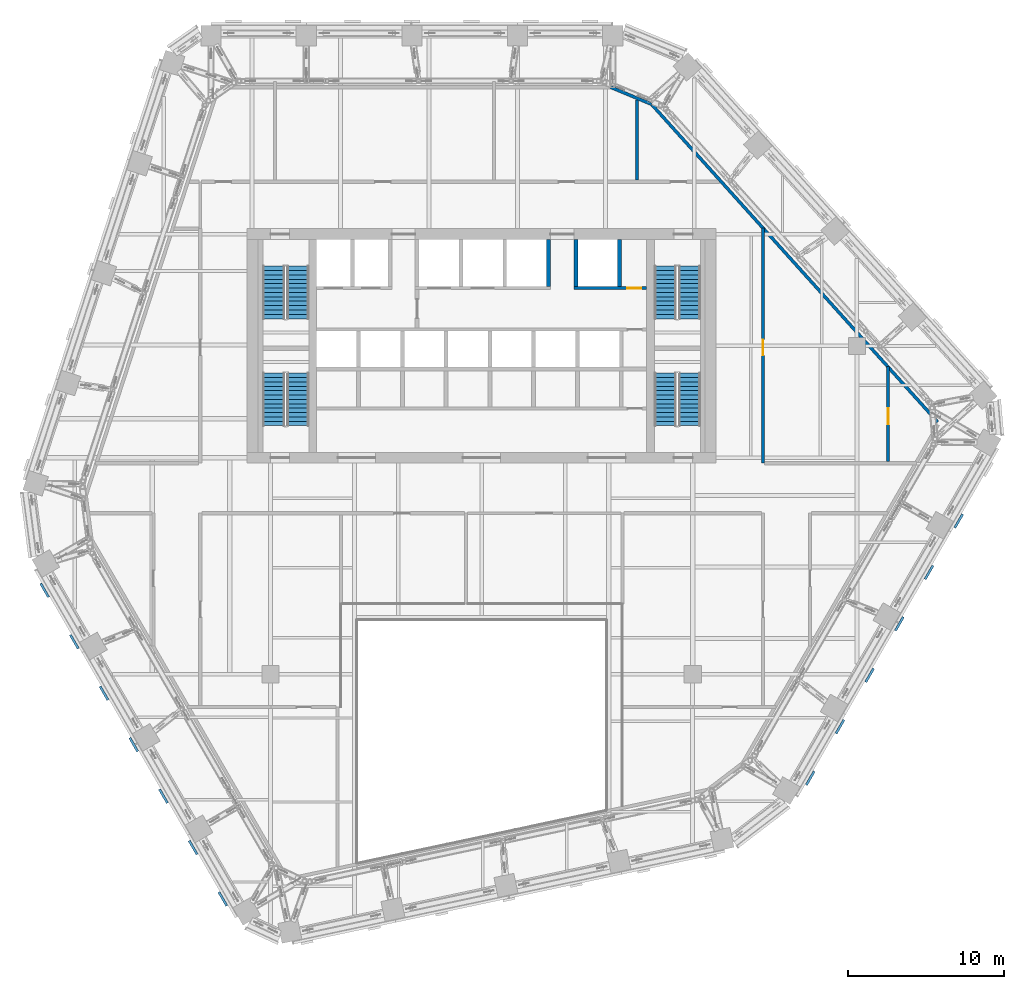
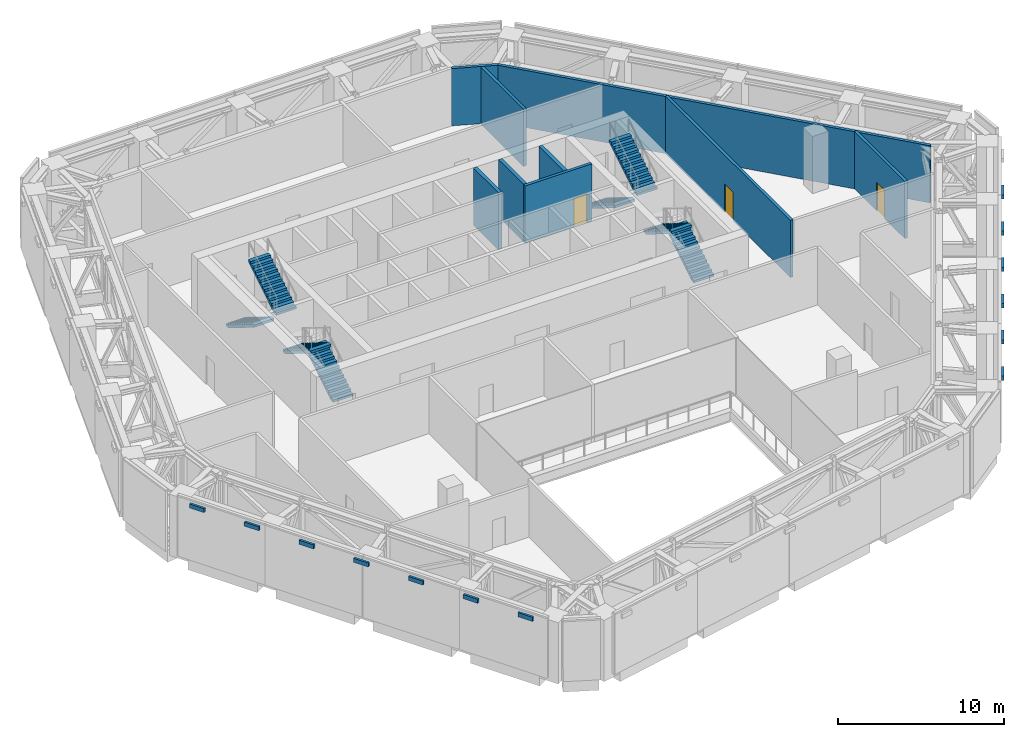
# One storey, part 18 of 26: 13 discrete accessories, 9 walls, 8 stair flights, 3 doors, 3 openings, 4 elements without a shape of their own.
"""IFC4 building model written with IfcOpenShell, lengths in metres."""

from ifc_helpers import new_model, si_unit, direction, frame, frame_2d, origin, origin_2d, place, context, subcontext, project, spatial, polyline, rectangle, outline, extrude, material, layer, layer_set, type_object, element, fill, aggregate, save


model = new_model("IFC4")

# Units and contexts
model_context = context("Model", 3, precision=1e-05, world=origin(), true_north=direction((0.0, 1.0)))
body_context = subcontext(model_context, "Body", "Model", "MODEL_VIEW")
ifc_project = project(units=[si_unit("LENGTHUNIT", "METRE"), si_unit("AREAUNIT", "SQUARE_METRE"), si_unit("VOLUMEUNIT", "CUBIC_METRE"), si_unit("PLANEANGLEUNIT", "RADIAN"), si_unit("MASSUNIT", "GRAM", prefix="KILO")], contexts=[model_context])

# Site, building, storey
site_placement = place(None, origin())
site = spatial("IfcSite", under=ifc_project, at=site_placement, CompositionType="ELEMENT")
building_placement = place(site_placement, origin())
building = spatial("IfcBuilding", under=site, at=building_placement, Name="Isthmus Gate Tower", CompositionType="ELEMENT")
storey_placement = place(building_placement, frame((0.0, 0.0, 207.300048828125)))
storey = spatial("IfcBuildingStorey", under=building, at=storey_placement, Name="L52", CompositionType="ELEMENT", Elevation=207.300048828125)

# Wall
ifc_material_1 = material(Name="Concrete f'c 30 MPa", Category="concrete")
ifc_layer_1 = layer(ifc_material_1, 0.199951171875)
ifc_layer_set_1 = layer_set([ifc_layer_1], Name="Fire-rated block wall 200")
wall_type_1 = type_object("IfcWallType", Name="Fire-rated block wall 200", PredefinedType="PARTITIONING", material=ifc_layer_set_1)
wall_1_placement = place(storey_placement, frame((9.931884765625, 18.10009765625, 0.0), z_axis=(0.0, 0.0, 1.0), x_axis=(0.0, 1.0, 0.0)))
element("IfcWall", 1, at=wall_1_placement, inside=storey, type_object=wall_type_1, Name="Fire-rated wall", PredefinedType="PARTITIONING", context=body_context, shape_type="SweptSolid", body=[
    extrude(rectangle(XDim=5.14208984375, YDim=0.199951171875, at=frame_2d((2.571044921875, 0.0))), origin(), (0.0, 0.0, 1.0), 4.199951171875),
])

# Wall, opening, door
wall_2_placement = place(storey_placement, frame((18.0, 0.0, 0.0), z_axis=(0.0, 0.0, 1.0), x_axis=(0.0, 1.0, 0.0)))
wall_2 = element("IfcWall", 2, at=wall_2_placement, inside=storey, type_object=wall_type_1, Name="Fire-rated wall", PredefinedType="PARTITIONING", context=body_context, shape_type="SweptSolid", body=[
    extrude(rectangle(XDim=15.057373046875, YDim=0.199951171875, at=frame_2d((7.52880859375, 0.0))), origin(), (0.0, 0.0, 1.0), 4.199951171875),
])
opening_1_placement = place(wall_2_placement, frame((6.89990234375, 0.0, 0.0)))
opening_1 = element("IfcOpeningElement", 3, at=opening_1_placement, cuts=wall_2, Name="Opening DP52-06", PredefinedType="OPENING", context=body_context, shape_type="SweptSolid", body=[
    extrude(rectangle(XDim=1.0, YDim=2.10009765625, at=frame_2d((0.5, 1.050048828125))), frame((0.0, 0.10986328125, 0.0), z_axis=(0.0, -1.0, 0.0), x_axis=(1.0, 0.0, 0.0)), (0.0, 0.0, 1.0), 0.219970703125),
])
ifc_material_2 = material(Name="Steel fire door with intumescent seals", Category="steel")
door_type_1 = type_object("IfcDoorType", Name="Fire door 1000 x 2100", OperationType="SINGLE_SWING_LEFT", PredefinedType="DOOR", material=ifc_material_2)
door_1_placement = place(opening_1_placement, origin())
door_1 = element("IfcDoor", 4, at=door_1_placement, inside=storey, type_object=door_type_1, Name="Door DP52-06", OperationType="SINGLE_SWING_LEFT", OverallHeight=2.10009765625, OverallWidth=1.0, PredefinedType="DOOR", context=body_context, shape_type="SweptSolid", body=[
    extrude(rectangle(XDim=1.0, YDim=2.10009765625, at=frame_2d((0.5, 1.050048828125))), frame((0.0, 0.02490234375, 0.0), z_axis=(0.0, -1.0, 0.0), x_axis=(1.0, 0.0, 0.0)), (0.0, 0.0, 1.0), 0.050048828125),
])
fill(opening_1, door_1)

wall_3_placement = place(storey_placement, frame((26.0, 0.10009765625, 0.0), z_axis=(0.0, 0.0, 1.0), x_axis=(0.0, 1.0, 0.0)))
wall_3 = element("IfcWall", 5, at=wall_3_placement, inside=storey, type_object=wall_type_1, Name="Fire-rated wall", PredefinedType="PARTITIONING", context=body_context, shape_type="SweptSolid", body=[
    extrude(rectangle(XDim=6.072265625, YDim=0.199951171875, at=frame_2d((3.0361328125, 0.0))), origin(), (0.0, 0.0, 1.0), 4.199951171875),
])
opening_2_placement = place(wall_3_placement, frame((2.39990234375, 0.0, 0.0)))
opening_2 = element("IfcOpeningElement", 6, at=opening_2_placement, cuts=wall_3, Name="Opening DP52-07", PredefinedType="OPENING", context=body_context, shape_type="SweptSolid", body=[
    extrude(rectangle(XDim=1.0, YDim=2.10009765625, at=frame_2d((0.5, 1.050048828125))), frame((0.0, 0.10986328125, 0.0), z_axis=(0.0, -1.0, 0.0), x_axis=(1.0, 0.0, 0.0)), (0.0, 0.0, 1.0), 0.219970703125),
])
door_2_placement = place(opening_2_placement, origin())
door_2 = element("IfcDoor", 7, at=door_2_placement, inside=storey, type_object=door_type_1, Name="Door DP52-07", OperationType="SINGLE_SWING_LEFT", OverallHeight=2.10009765625, OverallWidth=1.0, PredefinedType="DOOR", context=body_context, shape_type="SweptSolid", body=[
    extrude(rectangle(XDim=1.0, YDim=2.10009765625, at=frame_2d((0.5, 1.050048828125))), frame((0.0, 0.02490234375, 0.0), z_axis=(0.0, -1.0, 0.0), x_axis=(1.0, 0.0, 0.0)), (0.0, 0.0, 1.0), 0.050048828125),
])
fill(opening_2, door_2)

# Walls
wall_4_placement = place(storey_placement, frame((8.25, 24.050048828125, 0.0), z_axis=(0.0, 0.0, 1.0), x_axis=(0.923344746626, -0.383971976683, 0.0)))
element("IfcWall", 8, at=wall_4_placement, inside=storey, type_object=wall_type_1, Name="Fire-rated wall", PredefinedType="PARTITIONING", context=body_context, shape_type="SweptSolid", body=[
    extrude(rectangle(XDim=2.829345703125, YDim=0.199951171875, at=frame_2d((1.41455078125, 0.0))), origin(), (0.0, 0.0, 1.0), 4.199951171875),
])
wall_5_placement = place(storey_placement, frame((10.862548828125, 22.963623046875, 0.0), z_axis=(0.0, 0.0, 1.0), x_axis=(0.669131375447, -0.743144132987, 0.0)))
element("IfcWall", 9, at=wall_5_placement, inside=storey, type_object=wall_type_1, Name="Fire-rated wall", PredefinedType="PARTITIONING", context=body_context, shape_type="SweptSolid", body=[
    extrude(rectangle(XDim=27.35546875, YDim=0.199951171875, at=frame_2d((13.677734375, 0.0))), origin(), (0.0, 0.0, 1.0), 4.199951171875),
])

# Wall, opening, door
ifc_material_3 = material(Name="Fire-rated blockwork masonry, 15 MPa", Category="masonry")
ifc_layer_2 = layer(ifc_material_3, 0.199951171875)
ifc_layer_set_2 = layer_set([ifc_layer_2], Name="SHAFT FRONT WALL 200 120 MIN")
wall_type_2 = type_object("IfcWallType", Name="SHAFT FRONT WALL 200 120 MIN", PredefinedType="PARTITIONING", material=ifc_layer_set_2)
wall_6_placement = place(storey_placement, frame((5.89990234375, 11.199951171875, 0.0), z_axis=(0.0, 0.0, 1.0), x_axis=(1.0, 0.0, 0.0)))
wall_6 = element("IfcWall", 10, at=wall_6_placement, inside=storey, type_object=wall_type_2, Name="L52 SHAFT FRONT WALL 200 120 MIN", PredefinedType="PARTITIONING", context=body_context, shape_type="SweptSolid", body=[
    extrude(rectangle(XDim=4.650146484375, YDim=0.199951171875, at=frame_2d((2.3251953125, 0.0))), origin(), (0.0, 0.0, 1.0), 4.199951171875),
])
opening_3_placement = place(wall_6_placement, frame((3.39990234375, 0.0, 0.0)))
opening_3 = element("IfcOpeningElement", 11, at=opening_3_placement, cuts=wall_6, Name="Opening DC-A07-04", PredefinedType="OPENING", context=body_context, shape_type="SweptSolid", body=[
    extrude(rectangle(XDim=0.89990234375, YDim=2.10009765625, at=frame_2d((0.449951171875, 1.050048828125))), frame((0.0, 0.10986328125, 0.0), z_axis=(0.0, -1.0, 0.0), x_axis=(1.0, 0.0, 0.0)), (0.0, 0.0, 1.0), 0.219970703125),
])
ifc_material_4 = material(Name="Steel door leaf, fire-rated", Category="steel")
door_type_2 = type_object("IfcDoorType", Name="RISER FIRE DOOR 900 X 2100 90 MIN", OperationType="SINGLE_SWING_LEFT", PredefinedType="DOOR", material=ifc_material_4)
door_3_placement = place(opening_3_placement, origin())
door_3 = element("IfcDoor", 12, at=door_3_placement, inside=storey, type_object=door_type_2, Name="Riser Door", OperationType="SINGLE_SWING_LEFT", OverallHeight=2.10009765625, OverallWidth=0.89990234375, PredefinedType="DOOR", context=body_context, shape_type="SweptSolid", body=[
    extrude(rectangle(XDim=0.89990234375, YDim=2.10009765625, at=frame_2d((0.449951171875, 1.050048828125))), frame((0.0, 0.02490234375, 0.0), z_axis=(0.0, -1.0, 0.0), x_axis=(1.0, 0.0, 0.0)), (0.0, 0.0, 1.0), 0.050048828125),
])
fill(opening_3, door_3)

# Walls
ifc_material_5 = material(Name="Fire-rated blockwork masonry, 15 MPa", Category="masonry")
ifc_layer_3 = layer(ifc_material_5, 0.25)
ifc_layer_set_3 = layer_set([ifc_layer_3], Name="SHAFT WALL 250 120 MIN")
wall_type_3 = type_object("IfcWallType", Name="SHAFT WALL 250 120 MIN", PredefinedType="PARTITIONING", material=ifc_layer_set_3)
for number, where, z_axis, x_axis, name in (
    (13, (4.27490234375, 11.300048828125, 0.0), (0.0, 0.0, 1.0), (0.0, 1.0, 0.0), "L52 SHAFT WALL 250 120 MIN"),
    (14, (6.02490234375, 11.300048828125, 0.0), (0.0, 0.0, 1.0), (0.0, 1.0, 0.0), "L52 SHAFT WALL 250 120 MIN"),
    (15, (8.824951171875, 11.300048828125, 0.0), (0.0, 0.0, 1.0), (0.0, 1.0, 0.0), "L52 SHAFT WALL 250 120 MIN"),
):
    element("IfcWall", number, at=place(storey_placement, frame(where, z_axis=z_axis, x_axis=x_axis)), inside=storey, type_object=wall_type_3, Name=name, PredefinedType="PARTITIONING", context=body_context, shape_type="SweptSolid", body=[
        extrude(rectangle(XDim=3.0, YDim=0.25, at=frame_2d((1.5, 0.0))), origin(), (0.0, 0.0, 1.0), 4.199951171875),
    ])

# Stair, stair flights
ifc_material_6 = material(Name="Concrete f'c 40 MPa", Category="concrete")
stair_type = type_object("IfcStairType", Name="CORE STAIR 26 RISERS", PredefinedType="HALF_TURN_STAIR", material=ifc_material_6)
stair_1_placement = place(storey_placement, origin())
stair_1 = element("IfcStair", 16, at=stair_1_placement, inside=storey, type_object=stair_type, Name="L52 Exit Stair 1", PredefinedType="HALF_TURN_STAIR")
ifc_material_7 = material(Name="Concrete f'c 40 MPa", Category="concrete")
stair_flight_type = type_object("IfcStairFlightType", Name="STAIR FLIGHT RC 1400", PredefinedType="STRAIGHT", material=ifc_material_7)
stair_flight_1_placement = place(storey_placement, frame((-13.300048828125, 12.60009765625, 0.0), z_axis=(0.0, 0.0, 1.0), x_axis=(0.0, -1.0, 0.0)))
stair_flight_1 = element("IfcStairFlight", 17, at=stair_flight_1_placement, type_object=stair_flight_type, Name="ST1 flight 1", NumberOfRisers=13, NumberOfTreads=12, PredefinedType="STRAIGHT", RiserHeight=0.173076923, TreadLength=0.28, context=body_context, shape_type="SweptSolid", body=[
    extrude(outline(polyline([(0.0, 0.0), (0.0, 0.173095703125), (0.280029296875, 0.173095703125), (0.280029296875, 0.34619140625), (0.56005859375, 0.34619140625), (0.56005859375, 0.519287109375), (0.840087890625, 0.519287109375), (0.840087890625, 0.6923828125), (1.1201171875, 0.6923828125), (1.1201171875, 0.865478515625), (1.39990234375, 0.865478515625), (1.39990234375, 1.03857421875), (1.679931640625, 1.03857421875), (1.679931640625, 1.21142578125), (1.9599609375, 1.21142578125), (1.9599609375, 1.384521484375), (2.239990234375, 1.384521484375), (2.239990234375, 1.5576171875), (2.52001953125, 1.5576171875), (2.52001953125, 1.730712890625), (2.800048828125, 1.730712890625), (2.800048828125, 1.90380859375), (3.080078125, 1.90380859375), (3.080078125, 2.076904296875), (3.360107421875, 2.076904296875), (3.360107421875, 2.25), (3.360107421875, 1.900634765625), (0.28515625, 0.0), (0.0, 0.0)])), frame((0.0, 0.699951171875, 0.0), z_axis=(0.0, -1.0, 0.0), x_axis=(1.0, 0.0, 0.0)), (0.0, 0.0, 1.0), 1.39990234375),
])
stair_flight_2_placement = place(storey_placement, frame((-11.75, 9.239990234375, 2.25), z_axis=(0.0, 0.0, 1.0), x_axis=(0.0, 1.0, 0.0)))
stair_flight_2 = element("IfcStairFlight", 18, at=stair_flight_2_placement, type_object=stair_flight_type, Name="ST1 flight 2", NumberOfRisers=13, NumberOfTreads=12, PredefinedType="STRAIGHT", RiserHeight=0.173076923, TreadLength=0.28, context=body_context, shape_type="SweptSolid", body=[
    extrude(outline(polyline([(0.0, 0.0), (0.0, 0.173095703125), (0.280029296875, 0.173095703125), (0.280029296875, 0.34619140625), (0.56005859375, 0.34619140625), (0.56005859375, 0.519287109375), (0.840087890625, 0.519287109375), (0.840087890625, 0.6923828125), (1.1201171875, 0.6923828125), (1.1201171875, 0.865478515625), (1.39990234375, 0.865478515625), (1.39990234375, 1.03857421875), (1.679931640625, 1.03857421875), (1.679931640625, 1.21142578125), (1.9599609375, 1.21142578125), (1.9599609375, 1.384521484375), (2.239990234375, 1.384521484375), (2.239990234375, 1.5576171875), (2.52001953125, 1.5576171875), (2.52001953125, 1.730712890625), (2.800048828125, 1.730712890625), (2.800048828125, 1.90380859375), (3.080078125, 1.90380859375), (3.080078125, 2.076904296875), (3.360107421875, 2.076904296875), (3.360107421875, 2.25), (3.360107421875, 1.900634765625), (0.28515625, 0.0), (0.0, 0.0)])), frame((0.0, 0.699951171875, 0.0), z_axis=(0.0, -1.0, 0.0), x_axis=(1.0, 0.0, 0.0)), (0.0, 0.0, 1.0), 1.39990234375),
])
aggregate(stair_1, [stair_flight_1, stair_flight_2])

stair_2_placement = place(storey_placement, origin())
stair_2 = element("IfcStair", 19, at=stair_2_placement, inside=storey, type_object=stair_type, Name="L52 Exit Stair 2", PredefinedType="HALF_TURN_STAIR")
stair_flight_3_placement = place(storey_placement, frame((11.75, 12.60009765625, 0.0), z_axis=(0.0, 0.0, 1.0), x_axis=(0.0, -1.0, 0.0)))
stair_flight_3 = element("IfcStairFlight", 20, at=stair_flight_3_placement, type_object=stair_flight_type, Name="ST2 flight 1", NumberOfRisers=13, NumberOfTreads=12, PredefinedType="STRAIGHT", RiserHeight=0.173076923, TreadLength=0.28, context=body_context, shape_type="SweptSolid", body=[
    extrude(outline(polyline([(0.0, 0.0), (0.0, 0.173095703125), (0.280029296875, 0.173095703125), (0.280029296875, 0.34619140625), (0.56005859375, 0.34619140625), (0.56005859375, 0.519287109375), (0.840087890625, 0.519287109375), (0.840087890625, 0.6923828125), (1.1201171875, 0.6923828125), (1.1201171875, 0.865478515625), (1.39990234375, 0.865478515625), (1.39990234375, 1.03857421875), (1.679931640625, 1.03857421875), (1.679931640625, 1.21142578125), (1.9599609375, 1.21142578125), (1.9599609375, 1.384521484375), (2.239990234375, 1.384521484375), (2.239990234375, 1.5576171875), (2.52001953125, 1.5576171875), (2.52001953125, 1.730712890625), (2.800048828125, 1.730712890625), (2.800048828125, 1.90380859375), (3.080078125, 1.90380859375), (3.080078125, 2.076904296875), (3.360107421875, 2.076904296875), (3.360107421875, 2.25), (3.360107421875, 1.900634765625), (0.28515625, 0.0), (0.0, 0.0)])), frame((0.0, 0.699951171875, 0.0), z_axis=(0.0, -1.0, 0.0), x_axis=(1.0, 0.0, 0.0)), (0.0, 0.0, 1.0), 1.39990234375),
])
stair_flight_4_placement = place(storey_placement, frame((13.300048828125, 9.239990234375, 2.25), z_axis=(0.0, 0.0, 1.0), x_axis=(0.0, 1.0, 0.0)))
stair_flight_4 = element("IfcStairFlight", 21, at=stair_flight_4_placement, type_object=stair_flight_type, Name="ST2 flight 2", NumberOfRisers=13, NumberOfTreads=12, PredefinedType="STRAIGHT", RiserHeight=0.173076923, TreadLength=0.28, context=body_context, shape_type="SweptSolid", body=[
    extrude(outline(polyline([(0.0, 0.0), (0.0, 0.173095703125), (0.280029296875, 0.173095703125), (0.280029296875, 0.34619140625), (0.56005859375, 0.34619140625), (0.56005859375, 0.519287109375), (0.840087890625, 0.519287109375), (0.840087890625, 0.6923828125), (1.1201171875, 0.6923828125), (1.1201171875, 0.865478515625), (1.39990234375, 0.865478515625), (1.39990234375, 1.03857421875), (1.679931640625, 1.03857421875), (1.679931640625, 1.21142578125), (1.9599609375, 1.21142578125), (1.9599609375, 1.384521484375), (2.239990234375, 1.384521484375), (2.239990234375, 1.5576171875), (2.52001953125, 1.5576171875), (2.52001953125, 1.730712890625), (2.800048828125, 1.730712890625), (2.800048828125, 1.90380859375), (3.080078125, 1.90380859375), (3.080078125, 2.076904296875), (3.360107421875, 2.076904296875), (3.360107421875, 2.25), (3.360107421875, 1.900634765625), (0.28515625, 0.0), (0.0, 0.0)])), frame((0.0, 0.699951171875, 0.0), z_axis=(0.0, -1.0, 0.0), x_axis=(1.0, 0.0, 0.0)), (0.0, 0.0, 1.0), 1.39990234375),
])
aggregate(stair_2, [stair_flight_3, stair_flight_4])

stair_3_placement = place(storey_placement, origin())
stair_3 = element("IfcStair", 22, at=stair_3_placement, inside=storey, type_object=stair_type, Name="L52 Exit Stair 7", PredefinedType="HALF_TURN_STAIR")
stair_flight_5_placement = place(storey_placement, frame((-11.75, 2.39990234375, 0.0), z_axis=(0.0, 0.0, 1.0), x_axis=(0.0, 1.0, 0.0)))
stair_flight_5 = element("IfcStairFlight", 23, at=stair_flight_5_placement, type_object=stair_flight_type, Name="ST7 flight 1", NumberOfRisers=13, NumberOfTreads=12, PredefinedType="STRAIGHT", RiserHeight=0.173076923, TreadLength=0.28, context=body_context, shape_type="SweptSolid", body=[
    extrude(outline(polyline([(0.0, 0.0), (0.0, 0.173095703125), (0.280029296875, 0.173095703125), (0.280029296875, 0.34619140625), (0.56005859375, 0.34619140625), (0.56005859375, 0.519287109375), (0.840087890625, 0.519287109375), (0.840087890625, 0.6923828125), (1.1201171875, 0.6923828125), (1.1201171875, 0.865478515625), (1.39990234375, 0.865478515625), (1.39990234375, 1.03857421875), (1.679931640625, 1.03857421875), (1.679931640625, 1.21142578125), (1.9599609375, 1.21142578125), (1.9599609375, 1.384521484375), (2.239990234375, 1.384521484375), (2.239990234375, 1.5576171875), (2.52001953125, 1.5576171875), (2.52001953125, 1.730712890625), (2.800048828125, 1.730712890625), (2.800048828125, 1.90380859375), (3.080078125, 1.90380859375), (3.080078125, 2.076904296875), (3.360107421875, 2.076904296875), (3.360107421875, 2.25), (3.360107421875, 1.900634765625), (0.28515625, 0.0), (0.0, 0.0)])), frame((0.0, 0.699951171875, 0.0), z_axis=(0.0, -1.0, 0.0), x_axis=(1.0, 0.0, 0.0)), (0.0, 0.0, 1.0), 1.39990234375),
])
stair_flight_6_placement = place(storey_placement, frame((-13.300048828125, 5.760009765625, 2.25), z_axis=(0.0, 0.0, 1.0), x_axis=(0.0, -1.0, 0.0)))
stair_flight_6 = element("IfcStairFlight", 24, at=stair_flight_6_placement, type_object=stair_flight_type, Name="ST7 flight 2", NumberOfRisers=13, NumberOfTreads=12, PredefinedType="STRAIGHT", RiserHeight=0.173076923, TreadLength=0.28, context=body_context, shape_type="SweptSolid", body=[
    extrude(outline(polyline([(0.0, 0.0), (0.0, 0.173095703125), (0.280029296875, 0.173095703125), (0.280029296875, 0.34619140625), (0.56005859375, 0.34619140625), (0.56005859375, 0.519287109375), (0.840087890625, 0.519287109375), (0.840087890625, 0.6923828125), (1.1201171875, 0.6923828125), (1.1201171875, 0.865478515625), (1.39990234375, 0.865478515625), (1.39990234375, 1.03857421875), (1.679931640625, 1.03857421875), (1.679931640625, 1.21142578125), (1.9599609375, 1.21142578125), (1.9599609375, 1.384521484375), (2.239990234375, 1.384521484375), (2.239990234375, 1.5576171875), (2.52001953125, 1.5576171875), (2.52001953125, 1.730712890625), (2.800048828125, 1.730712890625), (2.800048828125, 1.90380859375), (3.080078125, 1.90380859375), (3.080078125, 2.076904296875), (3.360107421875, 2.076904296875), (3.360107421875, 2.25), (3.360107421875, 1.900634765625), (0.28515625, 0.0), (0.0, 0.0)])), frame((0.0, 0.699951171875, 0.0), z_axis=(0.0, -1.0, 0.0), x_axis=(1.0, 0.0, 0.0)), (0.0, 0.0, 1.0), 1.39990234375),
])
aggregate(stair_3, [stair_flight_5, stair_flight_6])

stair_4_placement = place(storey_placement, origin())
stair_4 = element("IfcStair", 25, at=stair_4_placement, inside=storey, type_object=stair_type, Name="L52 Exit Stair 8", PredefinedType="HALF_TURN_STAIR")
stair_flight_7_placement = place(storey_placement, frame((13.300048828125, 2.39990234375, 0.0), z_axis=(0.0, 0.0, 1.0), x_axis=(0.0, 1.0, 0.0)))
stair_flight_7 = element("IfcStairFlight", 26, at=stair_flight_7_placement, type_object=stair_flight_type, Name="ST8 flight 1", NumberOfRisers=13, NumberOfTreads=12, PredefinedType="STRAIGHT", RiserHeight=0.173076923, TreadLength=0.28, context=body_context, shape_type="SweptSolid", body=[
    extrude(outline(polyline([(0.0, 0.0), (0.0, 0.173095703125), (0.280029296875, 0.173095703125), (0.280029296875, 0.34619140625), (0.56005859375, 0.34619140625), (0.56005859375, 0.519287109375), (0.840087890625, 0.519287109375), (0.840087890625, 0.6923828125), (1.1201171875, 0.6923828125), (1.1201171875, 0.865478515625), (1.39990234375, 0.865478515625), (1.39990234375, 1.03857421875), (1.679931640625, 1.03857421875), (1.679931640625, 1.21142578125), (1.9599609375, 1.21142578125), (1.9599609375, 1.384521484375), (2.239990234375, 1.384521484375), (2.239990234375, 1.5576171875), (2.52001953125, 1.5576171875), (2.52001953125, 1.730712890625), (2.800048828125, 1.730712890625), (2.800048828125, 1.90380859375), (3.080078125, 1.90380859375), (3.080078125, 2.076904296875), (3.360107421875, 2.076904296875), (3.360107421875, 2.25), (3.360107421875, 1.900634765625), (0.28515625, 0.0), (0.0, 0.0)])), frame((0.0, 0.699951171875, 0.0), z_axis=(0.0, -1.0, 0.0), x_axis=(1.0, 0.0, 0.0)), (0.0, 0.0, 1.0), 1.39990234375),
])
stair_flight_8_placement = place(storey_placement, frame((11.75, 5.760009765625, 2.25), z_axis=(0.0, 0.0, 1.0), x_axis=(0.0, -1.0, 0.0)))
stair_flight_8 = element("IfcStairFlight", 27, at=stair_flight_8_placement, type_object=stair_flight_type, Name="ST8 flight 2", NumberOfRisers=13, NumberOfTreads=12, PredefinedType="STRAIGHT", RiserHeight=0.173076923, TreadLength=0.28, context=body_context, shape_type="SweptSolid", body=[
    extrude(outline(polyline([(0.0, 0.0), (0.0, 0.173095703125), (0.280029296875, 0.173095703125), (0.280029296875, 0.34619140625), (0.56005859375, 0.34619140625), (0.56005859375, 0.519287109375), (0.840087890625, 0.519287109375), (0.840087890625, 0.6923828125), (1.1201171875, 0.6923828125), (1.1201171875, 0.865478515625), (1.39990234375, 0.865478515625), (1.39990234375, 1.03857421875), (1.679931640625, 1.03857421875), (1.679931640625, 1.21142578125), (1.9599609375, 1.21142578125), (1.9599609375, 1.384521484375), (2.239990234375, 1.384521484375), (2.239990234375, 1.5576171875), (2.52001953125, 1.5576171875), (2.52001953125, 1.730712890625), (2.800048828125, 1.730712890625), (2.800048828125, 1.90380859375), (3.080078125, 1.90380859375), (3.080078125, 2.076904296875), (3.360107421875, 2.076904296875), (3.360107421875, 2.25), (3.360107421875, 1.900634765625), (0.28515625, 0.0), (0.0, 0.0)])), frame((0.0, 0.699951171875, 0.0), z_axis=(0.0, -1.0, 0.0), x_axis=(1.0, 0.0, 0.0)), (0.0, 0.0, 1.0), 1.39990234375),
])
aggregate(stair_4, [stair_flight_7, stair_flight_8])

# Discrete accessories
ifc_material_8 = material(Name="Structural steel ASTM A572 Gr 50, white paint system", Category="steel")
discrete_accessory_type = type_object("IfcDiscreteAccessoryType", Name="FIN BRACKET 1016 X 150 X 300", PredefinedType="BRACKET", material=ifc_material_8)
for number, where, z_axis, x_axis, name in (
    (28, (-27.9560546875, -8.128662109375, 3.94970703125), (0.0, 0.0, 1.0), (-0.866025403784, -0.5, 0.0), "FIN BRACKET"),
    (29, (-26.055908203125, -11.419677734375, 3.94970703125), (0.0, 0.0, 1.0), (-0.866025403784, -0.5, 0.0), "FIN BRACKET"),
    (30, (-24.156005859375, -14.71044921875, 3.94970703125), (0.0, 0.0, 1.0), (-0.866025403784, -0.5, 0.0), "FIN BRACKET"),
    (31, (-22.256103515625, -18.00146484375, 3.94970703125), (0.0, 0.0, 1.0), (-0.866025403784, -0.5, 0.0), "FIN BRACKET"),
    (32, (-20.35595703125, -21.292236328125, 3.94970703125), (0.0, 0.0, 1.0), (-0.866025403784, -0.5, 0.0), "FIN BRACKET"),
    (33, (-18.4560546875, -24.583251953125, 3.94970703125), (0.0, 0.0, 1.0), (-0.866025403784, -0.5, 0.0), "FIN BRACKET"),
    (34, (-16.555908203125, -27.8740234375, 3.94970703125), (0.0, 0.0, 1.0), (-0.866025403784, -0.5, 0.0), "FIN BRACKET"),
    (35, (21.017822265625, -20.146240234375, 3.94970703125), (0.0, 0.0, 1.0), (0.866025403784, -0.5, 0.0), "FIN BRACKET"),
    (36, (22.917724609375, -16.855224609375, 3.94970703125), (0.0, 0.0, 1.0), (0.866025403784, -0.5, 0.0), "FIN BRACKET"),
    (37, (24.817626953125, -13.564453125, 3.94970703125), (0.0, 0.0, 1.0), (0.866025403784, -0.5, 0.0), "FIN BRACKET"),
    (38, (26.7177734375, -10.2734375, 3.94970703125), (0.0, 0.0, 1.0), (0.866025403784, -0.5, 0.0), "FIN BRACKET"),
    (39, (28.61767578125, -6.982666015625, 3.94970703125), (0.0, 0.0, 1.0), (0.866025403784, -0.5, 0.0), "FIN BRACKET"),
    (40, (30.517822265625, -3.691650390625, 3.94970703125), (0.0, 0.0, 1.0), (0.866025403784, -0.5, 0.0), "FIN BRACKET"),
):
    element("IfcDiscreteAccessory", number, at=place(storey_placement, frame(where, z_axis=z_axis, x_axis=x_axis)), inside=storey, type_object=discrete_accessory_type, Name=name, PredefinedType="BRACKET", context=body_context, shape_type="SweptSolid", body=[
        extrude(rectangle(XDim=0.14990234375, YDim=1.01611328125, at=origin_2d()), origin(), (0.0, 0.0, 1.0), 0.300048828125),
    ])

save(model, "model.ifc")
